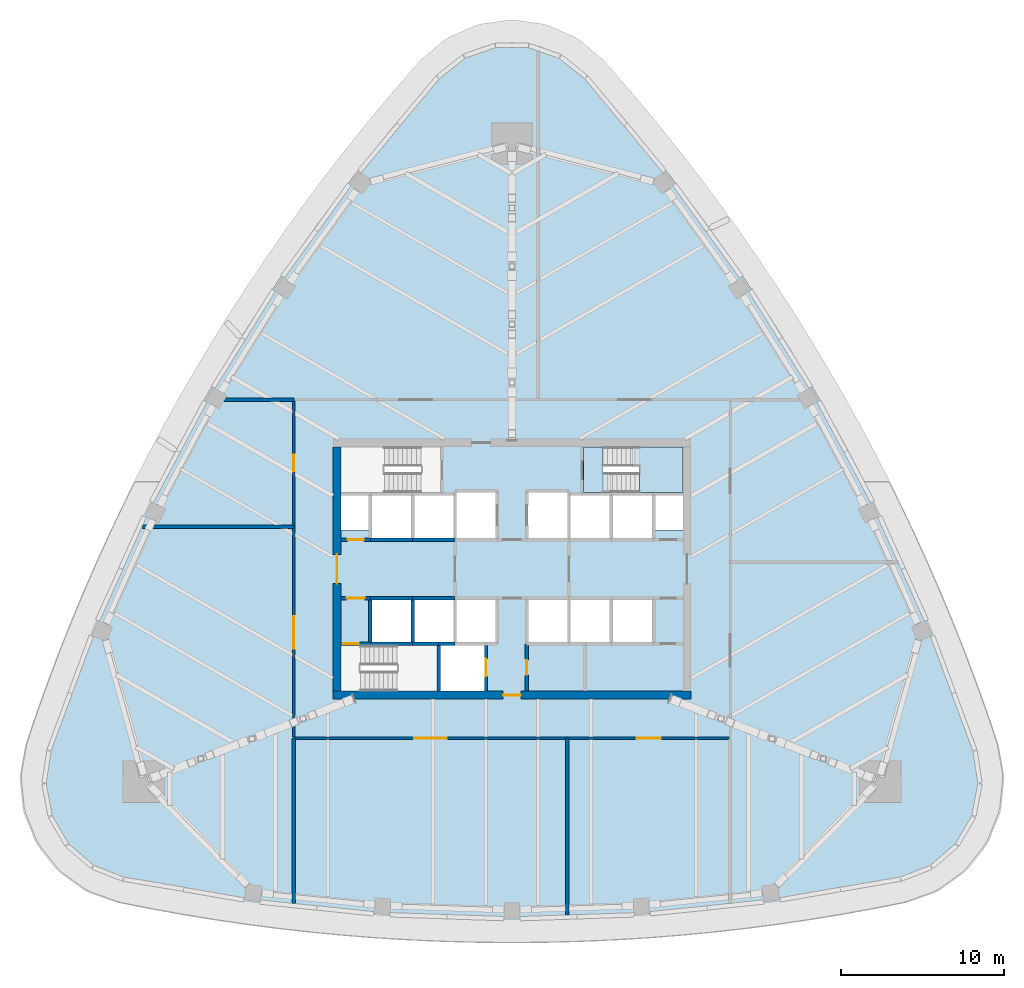
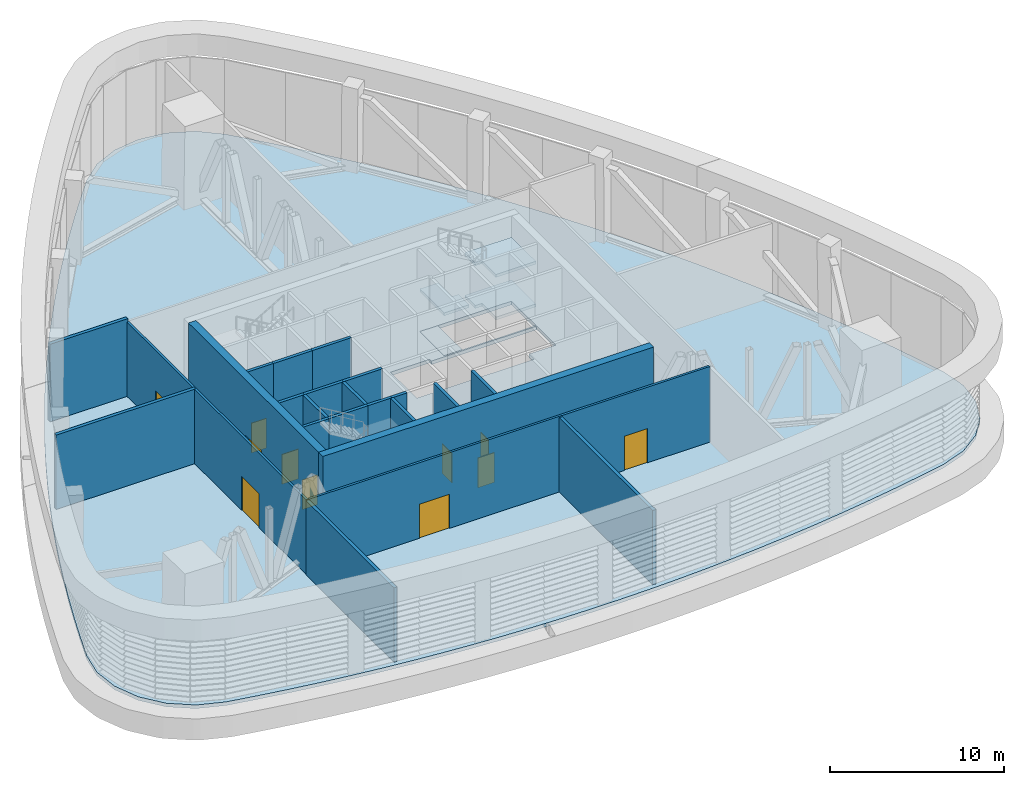
# One storey, part 5 of 18: 23 walls, 11 doors, 5 slabs, 11 openings, 1 element without a shape of its own.
"""IFC4 building model written with IfcOpenShell, lengths in metres."""

from ifc_helpers import new_model, si_unit, direction, frame, frame_2d, origin, place, context, subcontext, project, spatial, polyline, rectangle, outline, extrude, material, layer, layer_set, type_object, element, fill, aggregate, save


model = new_model("IFC4")

# Units and contexts
model_context = context("Model", 3, precision=1e-05, world=origin(), true_north=direction((0.0, 1.0)))
body_context = subcontext(model_context, "Body", "Model", "MODEL_VIEW")
ifc_project = project(units=[si_unit("LENGTHUNIT", "METRE"), si_unit("AREAUNIT", "SQUARE_METRE"), si_unit("VOLUMEUNIT", "CUBIC_METRE"), si_unit("PLANEANGLEUNIT", "RADIAN"), si_unit("MASSUNIT", "GRAM", prefix="KILO")], contexts=[model_context])

# Site, building, storey
site_placement = place(None, origin())
site = spatial("IfcSite", under=ifc_project, at=site_placement, CompositionType="ELEMENT")
building_placement = place(site_placement, origin())
building = spatial("IfcBuilding", under=site, at=building_placement, Name="Sierra Prisma Convention Tower", CompositionType="ELEMENT")
storey_placement = place(building_placement, frame((0.0, 0.0, 213.800048828125)))
storey = spatial("IfcBuildingStorey", under=building, at=storey_placement, Name="L48", CompositionType="ELEMENT", Elevation=213.800048828125)

# Slab
ifc_material_1 = material(Name="Concrete C35/45", Category="concrete")
ifc_layer_1 = layer(ifc_material_1, 0.25)
ifc_layer_set_1 = layer_set([ifc_layer_1], Name="Convention floor slab 250")
slab_type_1 = type_object("IfcSlabType", Name="Convention floor slab 250", PredefinedType="FLOOR", material=ifc_layer_set_1)
slab_1_placement = place(storey_placement, frame((0.0, 0.0, -0.25)))
element("IfcSlab", 1, at=slab_1_placement, inside=storey, type_object=slab_type_1, Name="Floor slab L48 floor", PredefinedType="FLOOR", context=body_context, shape_type="SweptSolid", body=[
    extrude(outline(polyline([(-23.883544921875, -19.135498046875), (-21.996337890625, -19.509765625), (-20.103271484375, -19.853271484375), (-18.204833984375, -20.166015625), (-16.301513671875, -20.447509765625), (-14.39404296875, -20.697998046875), (-12.482666015625, -20.917236328125), (-10.56787109375, -21.10546875), (-8.650146484375, -21.26220703125), (-6.730224609375, -21.3876953125), (-4.80859375, -21.48193359375), (-2.8857421875, -21.544677734375), (-0.9619140625, -21.576171875), (0.9619140625, -21.576171875), (2.8857421875, -21.544677734375), (4.80859375, -21.48193359375), (6.730224609375, -21.3876953125), (8.650146484375, -21.26220703125), (10.56787109375, -21.10546875), (12.482666015625, -20.917236328125), (14.39404296875, -20.697998046875), (16.301513671875, -20.447509765625), (18.204833984375, -20.166015625), (20.103271484375, -19.853271484375), (21.996337890625, -19.509765625), (23.883544921875, -19.135498046875), (25.518310546875, -18.548828125), (26.92626953125, -17.53173828125), (27.996826171875, -16.1640625), (28.64599609375, -14.552978515625), (28.822998046875, -12.8251953125), (28.513671875, -11.115966796875), (27.894287109375, -9.29443359375), (27.2451171875, -7.4833984375), (26.566650390625, -5.682861328125), (25.85888671875, -3.893798828125), (25.1220703125, -2.116455078125), (24.356201171875, -0.3515625), (23.561767578125, 1.400634765625), (22.73876953125, 3.139892578125), (21.887451171875, 4.865234375), (21.00830078125, 6.576416015625), (20.10107421875, 8.273193359375), (19.16650390625, 9.954833984375), (18.204345703125, 11.62109375), (17.21533203125, 13.271484375), (16.199462890625, 14.9052734375), (15.1572265625, 16.5224609375), (14.088623046875, 18.122314453125), (12.993896484375, 19.70458984375), (11.87353515625, 21.268798828125), (10.72802734375, 22.814697265625), (9.557373046875, 24.34130859375), (8.36181640625, 25.848876953125), (7.141845703125, 27.336669921875), (5.89794921875, 28.804443359375), (4.630126953125, 30.25146484375), (3.3046875, 31.3740234375), (1.7197265625, 32.084716796875), (0.0, 32.328125), (-1.7197265625, 32.084716796875), (-3.3046875, 31.3740234375), (-4.630126953125, 30.25146484375), (-5.89794921875, 28.804443359375), (-7.141845703125, 27.336669921875), (-8.36181640625, 25.848876953125), (-9.557373046875, 24.34130859375), (-10.72802734375, 22.814697265625), (-11.87353515625, 21.268798828125), (-12.993896484375, 19.70458984375), (-14.088623046875, 18.122314453125), (-15.1572265625, 16.5224609375), (-16.199462890625, 14.9052734375), (-17.21533203125, 13.271484375), (-18.204345703125, 11.62109375), (-19.16650390625, 9.954833984375), (-20.10107421875, 8.273193359375), (-21.00830078125, 6.576416015625), (-21.887451171875, 4.865234375), (-22.73876953125, 3.139892578125), (-23.561767578125, 1.400634765625), (-24.356201171875, -0.3515625), (-25.1220703125, -2.116455078125), (-25.85888671875, -3.893798828125), (-26.566650390625, -5.682861328125), (-27.2451171875, -7.4833984375), (-27.894287109375, -9.29443359375), (-28.513671875, -11.115966796875), (-28.822998046875, -12.8251953125), (-28.64599609375, -14.552978515625), (-27.996826171875, -16.1640625), (-26.92626953125, -17.53173828125), (-25.518310546875, -18.548828125), (-23.883544921875, -19.135498046875)]), holes=[polyline([(-4.60009765625, -7.5), (-10.5, -7.5), (-10.5, -4.699951171875), (-4.60009765625, -4.699951171875), (-4.60009765625, -7.5)]), polyline([(-8.699951171875, -4.60009765625), (-8.699951171875, -1.800048828125), (-6.10009765625, -1.800048828125), (-3.5, -1.800048828125), (-0.89990234375, -1.800048828125), (-0.89990234375, -4.60009765625), (-1.60009765625, -4.60009765625), (-1.60009765625, -7.5), (-4.5, -7.5), (-4.5, -4.60009765625), (-6.10009765625, -4.60009765625), (-8.699951171875, -4.60009765625)]), polyline([(-10.5, 4.60009765625), (-8.699951171875, 4.60009765625), (-6.10009765625, 4.60009765625), (-3.5, 4.60009765625), (-3.5, 4.800048828125), (-0.89990234375, 4.800048828125), (-0.89990234375, 1.800048828125), (-3.5, 1.800048828125), (-6.10009765625, 1.800048828125), (-8.699951171875, 1.800048828125), (-8.699951171875, 2.39990234375), (-10.5, 2.39990234375), (-10.5, 4.60009765625)]), polyline([(-10.5, 4.699951171875), (-10.5, 7.5), (-4.39990234375, 7.5), (-4.39990234375, 4.699951171875), (-10.5, 4.699951171875)]), polyline([(6.10009765625, -1.800048828125), (8.699951171875, -1.800048828125), (8.699951171875, -4.60009765625), (6.10009765625, -4.60009765625), (3.5, -4.60009765625), (0.89990234375, -4.60009765625), (0.89990234375, -1.800048828125), (3.5, -1.800048828125), (6.10009765625, -1.800048828125)]), polyline([(8.699951171875, 4.60009765625), (10.5, 4.60009765625), (10.5, 2.39990234375), (8.699951171875, 2.39990234375), (8.699951171875, 1.800048828125), (6.10009765625, 1.800048828125), (3.5, 1.800048828125), (0.89990234375, 1.800048828125), (0.89990234375, 4.800048828125), (3.5, 4.800048828125), (3.5, 4.60009765625), (6.10009765625, 4.60009765625), (8.699951171875, 4.60009765625)]), polyline([(4.39990234375, 4.699951171875), (4.39990234375, 7.5), (10.5, 7.5), (10.5, 4.699951171875), (4.39990234375, 4.699951171875)])]), origin(), (0.0, 0.0, 1.0), 0.25),
])

# Stair, slabs
ifc_material_2 = material(Name="Concrete C30/37", Category="concrete")
stair_type = type_object("IfcStairType", Name="Stair dog-leg 1200 RC", PredefinedType="HALF_TURN_STAIR", material=ifc_material_2)
stair_placement = place(storey_placement, origin())
stair = element("IfcStair", 2, at=stair_placement, inside=storey, type_object=stair_type, Name="L48 S4", PredefinedType="HALF_TURN_STAIR")
ifc_material_3 = material(Name="Concrete C35/45", Category="concrete")
ifc_layer_2 = layer(ifc_material_3, 0.199951171875)
ifc_layer_set_2 = layer_set([ifc_layer_2], Name="Stair landing slab")
slab_type_2 = type_object("IfcSlabType", Name="Stair landing slab", PredefinedType="LANDING", material=ifc_layer_set_2)
slab_2_placement = place(storey_placement, frame((0.0, 0.0, 1.300048828125)))
slab_2 = element("IfcSlab", 3, at=slab_2_placement, type_object=slab_type_2, Name="S4 landing 1", PredefinedType="LANDING", context=body_context, shape_type="SweptSolid", body=[
    extrude(outline(polyline([(10.5, 7.5), (10.5, 4.699951171875), (7.837890625, 4.699951171875), (7.837890625, 6.300048828125), (7.389892578125, 6.300048828125), (7.389892578125, 7.5), (10.5, 7.5)])), origin(), (0.0, 0.0, 1.0), 0.199951171875),
])
slab_3_placement = place(storey_placement, frame((0.0, 0.0, 2.800048828125)))
slab_3 = element("IfcSlab", 4, at=slab_3_placement, type_object=slab_type_2, Name="S4 landing 2", PredefinedType="LANDING", context=body_context, shape_type="SweptSolid", body=[
    extrude(outline(polyline([(4.39990234375, 4.699951171875), (4.39990234375, 7.5), (5.60205078125, 7.5), (5.60205078125, 5.89990234375), (6.050048828125, 5.89990234375), (6.050048828125, 4.699951171875), (4.39990234375, 4.699951171875)])), origin(), (0.0, 0.0, 1.0), 0.199951171875),
])
slab_4_placement = place(storey_placement, frame((0.0, 0.0, 4.300048828125)))
slab_4 = element("IfcSlab", 5, at=slab_4_placement, type_object=slab_type_2, Name="S4 landing 3", PredefinedType="LANDING", context=body_context, shape_type="SweptSolid", body=[
    extrude(outline(polyline([(10.5, 7.5), (10.5, 4.699951171875), (7.837890625, 4.699951171875), (7.837890625, 6.300048828125), (7.389892578125, 6.300048828125), (7.389892578125, 7.5), (10.5, 7.5)])), origin(), (0.0, 0.0, 1.0), 0.199951171875),
])
aggregate(stair, [slab_2, slab_3, slab_4])

# Slab
slab_5_placement = place(storey_placement, frame((0.0, 0.0, -0.199951171875)))
element("IfcSlab", 6, at=slab_5_placement, inside=storey, type_object=slab_type_2, Name="S4 floor landing L48", PredefinedType="LANDING", context=body_context, shape_type="SweptSolid", body=[
    extrude(outline(polyline([(4.39990234375, 4.699951171875), (5.60205078125, 4.699951171875), (5.60205078125, 7.5), (4.39990234375, 7.5), (4.39990234375, 4.699951171875)])), origin(), (0.0, 0.0, 1.0), 0.199951171875),
])

# Wall, opening, door
ifc_material_4 = material(Name="Concrete C30/37", Category="concrete")
ifc_layer_3 = layer(ifc_material_4, 0.199951171875)
ifc_layer_set_3 = layer_set([ifc_layer_3], Name="Core wall RC 200 C30/37")
wall_type_1 = type_object("IfcWallType", Name="Core wall RC 200 C30/37", PredefinedType="SOLIDWALL", material=ifc_layer_set_3)
wall_1_placement = place(storey_placement, frame((-10.5, -4.60009765625, 0.0), z_axis=(0.0, 0.0, 1.0), x_axis=(1.0, 0.0, 0.0)))
wall_1 = element("IfcWall", 7, at=wall_1_placement, inside=storey, type_object=wall_type_1, Name="Core wall L48 1", PredefinedType="SOLIDWALL", context=body_context, shape_type="SweptSolid", body=[
    extrude(rectangle(XDim=1.800048828125, YDim=0.199951171875, at=frame_2d((0.89990234375, 0.0))), origin(), (0.0, 0.0, 1.0), 5.849853515625),
])
opening_1_placement = place(wall_1_placement, frame((0.10009765625, 0.0, 0.0)))
opening_1 = element("IfcOpeningElement", 8, at=opening_1_placement, cuts=wall_1, Name="Opening L48-D011", PredefinedType="OPENING", context=body_context, shape_type="SweptSolid", body=[
    extrude(rectangle(XDim=1.0, YDim=2.10009765625, at=frame_2d((0.5, 1.050048828125))), frame((0.0, 0.10009765625, 0.0), z_axis=(0.0, -1.0, 0.0), x_axis=(1.0, 0.0, 0.0)), (0.0, 0.0, 1.0), 0.199951171875),
])
ifc_material_5 = material(Name="Steel fire door leaf", Category="steel")
door_type_1 = type_object("IfcDoorType", Name="Door 1000x2100 FD90S", OperationType="SINGLE_SWING_LEFT", PredefinedType="DOOR", material=ifc_material_5)
door_1_placement = place(opening_1_placement, origin())
door_1 = element("IfcDoor", 9, at=door_1_placement, inside=storey, type_object=door_type_1, Name="Door L48 19", OperationType="SINGLE_SWING_LEFT", OverallHeight=2.10009765625, OverallWidth=1.0, PredefinedType="DOOR", context=body_context, shape_type="SweptSolid", body=[
    extrude(rectangle(XDim=1.0, YDim=2.10009765625, at=frame_2d((0.5, 1.050048828125))), frame((0.0, 0.02490234375, 0.0), z_axis=(0.0, -1.0, 0.0), x_axis=(1.0, 0.0, 0.0)), (0.0, 0.0, 1.0), 0.050048828125),
])
fill(opening_1, door_1)

wall_2_placement = place(storey_placement, frame((-10.5, -1.800048828125, 0.0), z_axis=(0.0, 0.0, 1.0), x_axis=(1.0, 0.0, 0.0)))
wall_2 = element("IfcWall", 10, at=wall_2_placement, inside=storey, type_object=wall_type_1, Name="Core wall L48 2", PredefinedType="SOLIDWALL", context=body_context, shape_type="SweptSolid", body=[
    extrude(rectangle(XDim=1.800048828125, YDim=0.199951171875, at=frame_2d((0.89990234375, 0.0))), origin(), (0.0, 0.0, 1.0), 5.849853515625),
])
opening_2_placement = place(wall_2_placement, frame((0.35009765625, 0.0, 0.0)))
opening_2 = element("IfcOpeningElement", 11, at=opening_2_placement, cuts=wall_2, Name="Opening L48-D006", PredefinedType="OPENING", context=body_context, shape_type="SweptSolid", body=[
    extrude(rectangle(XDim=1.10009765625, YDim=2.10009765625, at=frame_2d((0.550048828125, 1.050048828125))), frame((0.0, 0.10009765625, 0.0), z_axis=(0.0, -1.0, 0.0), x_axis=(1.0, 0.0, 0.0)), (0.0, 0.0, 1.0), 0.199951171875),
])
ifc_material_6 = material(Name="Steel fire door leaf", Category="steel")
door_type_2 = type_object("IfcDoorType", Name="Door 1100x2100 FD90S", OperationType="SINGLE_SWING_LEFT", PredefinedType="DOOR", material=ifc_material_6)
door_2_placement = place(opening_2_placement, origin())
door_2 = element("IfcDoor", 12, at=door_2_placement, inside=storey, type_object=door_type_2, Name="Door L48 14", OperationType="SINGLE_SWING_RIGHT", OverallHeight=2.10009765625, OverallWidth=1.10009765625, PredefinedType="DOOR", context=body_context, shape_type="SweptSolid", body=[
    extrude(rectangle(XDim=1.10009765625, YDim=2.10009765625, at=frame_2d((0.550048828125, 1.050048828125))), frame((0.0, 0.02490234375, 0.0), z_axis=(0.0, -1.0, 0.0), x_axis=(1.0, 0.0, 0.0)), (0.0, 0.0, 1.0), 0.050048828125),
])
fill(opening_2, door_2)

wall_3_placement = place(storey_placement, frame((-8.699951171875, 1.800048828125, 0.0), z_axis=(0.0, 0.0, 1.0), x_axis=(-1.0, 0.0, 0.0)))
wall_3 = element("IfcWall", 13, at=wall_3_placement, inside=storey, type_object=wall_type_1, Name="Core wall L48 3", PredefinedType="SOLIDWALL", context=body_context, shape_type="SweptSolid", body=[
    extrude(rectangle(XDim=1.800048828125, YDim=0.199951171875, at=frame_2d((0.89990234375, 0.0))), origin(), (0.0, 0.0, 1.0), 5.849853515625),
])
opening_3_placement = place(wall_3_placement, frame((0.39990234375, 0.0, 0.0)))
opening_3 = element("IfcOpeningElement", 14, at=opening_3_placement, cuts=wall_3, Name="Opening L48-D009", PredefinedType="OPENING", context=body_context, shape_type="SweptSolid", body=[
    extrude(rectangle(XDim=1.0, YDim=2.10009765625, at=frame_2d((0.5, 1.050048828125))), frame((0.0, 0.10009765625, 0.0), z_axis=(0.0, -1.0, 0.0), x_axis=(1.0, 0.0, 0.0)), (0.0, 0.0, 1.0), 0.199951171875),
])
ifc_material_7 = material(Name="Steel fire door leaf", Category="steel")
door_type_3 = type_object("IfcDoorType", Name="Door 1000x2100 FD60S", OperationType="SINGLE_SWING_LEFT", PredefinedType="DOOR", material=ifc_material_7)
door_3_placement = place(opening_3_placement, origin())
door_3 = element("IfcDoor", 15, at=door_3_placement, inside=storey, type_object=door_type_3, Name="Door L48 17", OperationType="SINGLE_SWING_RIGHT", OverallHeight=2.10009765625, OverallWidth=1.0, PredefinedType="DOOR", context=body_context, shape_type="SweptSolid", body=[
    extrude(rectangle(XDim=1.0, YDim=2.10009765625, at=frame_2d((0.5, 1.050048828125))), frame((0.0, 0.02490234375, 0.0), z_axis=(0.0, -1.0, 0.0), x_axis=(1.0, 0.0, 0.0)), (0.0, 0.0, 1.0), 0.050048828125),
])
fill(opening_3, door_3)

# Walls
wall_4_placement = place(storey_placement, frame((-8.699951171875, -4.60009765625, 0.0), z_axis=(0.0, 0.0, 1.0), x_axis=(1.0, 0.0, 0.0)))
element("IfcWall", 16, at=wall_4_placement, inside=storey, type_object=wall_type_1, Name="Core wall L48 5", PredefinedType="SOLIDWALL", context=body_context, shape_type="SweptSolid", body=[
    extrude(rectangle(XDim=2.599853515625, YDim=0.199951171875, at=frame_2d((1.2998046875, 0.0))), origin(), (0.0, 0.0, 1.0), 5.849853515625),
])
wall_5_placement = place(storey_placement, frame((-8.699951171875, -4.60009765625, 0.0), z_axis=(0.0, 0.0, 1.0), x_axis=(0.0, 1.0, 0.0)))
element("IfcWall", 17, at=wall_5_placement, inside=storey, type_object=wall_type_1, Name="Core wall L48 6", PredefinedType="SOLIDWALL", context=body_context, shape_type="SweptSolid", body=[
    extrude(rectangle(XDim=2.800048828125, YDim=0.199951171875, at=frame_2d((1.39990234375, 0.0))), origin(), (0.0, 0.0, 1.0), 5.849853515625),
])
for number, where, z_axis, x_axis, name in (
    (18, (-8.699951171875, -1.800048828125, 0.0), (0.0, 0.0, 1.0), (1.0, 0.0, 0.0), "Core wall L48 7"),
    (19, (-6.10009765625, 1.800048828125, 0.0), (0.0, 0.0, 1.0), (-1.0, 0.0, 0.0), "Core wall L48 8"),
):
    element("IfcWall", number, at=place(storey_placement, frame(where, z_axis=z_axis, x_axis=x_axis)), inside=storey, type_object=wall_type_1, Name=name, PredefinedType="SOLIDWALL", context=body_context, shape_type="SweptSolid", body=[
        extrude(rectangle(XDim=2.599853515625, YDim=0.199951171875, at=frame_2d((1.2998046875, 0.0))), origin(), (0.0, 0.0, 1.0), 5.849853515625),
    ])
wall_6_placement = place(storey_placement, frame((-6.10009765625, -4.60009765625, 0.0), z_axis=(0.0, 0.0, 1.0), x_axis=(1.0, 0.0, 0.0)))
element("IfcWall", 20, at=wall_6_placement, inside=storey, type_object=wall_type_1, Name="Core wall L48 11", PredefinedType="SOLIDWALL", context=body_context, shape_type="SweptSolid", body=[
    extrude(rectangle(XDim=1.60009765625, YDim=0.199951171875, at=frame_2d((0.800048828125, 0.0))), origin(), (0.0, 0.0, 1.0), 5.849853515625),
])
wall_7_placement = place(storey_placement, frame((-6.10009765625, -4.60009765625, 0.0), z_axis=(0.0, 0.0, 1.0), x_axis=(0.0, 1.0, 0.0)))
element("IfcWall", 21, at=wall_7_placement, inside=storey, type_object=wall_type_1, Name="Core wall L48 12", PredefinedType="SOLIDWALL", context=body_context, shape_type="SweptSolid", body=[
    extrude(rectangle(XDim=2.800048828125, YDim=0.199951171875, at=frame_2d((1.39990234375, 0.0))), origin(), (0.0, 0.0, 1.0), 5.849853515625),
])
for number, where, z_axis, x_axis, name in (
    (22, (-6.10009765625, -1.800048828125, 0.0), (0.0, 0.0, 1.0), (1.0, 0.0, 0.0), "Core wall L48 13"),
    (23, (-3.5, 1.800048828125, 0.0), (0.0, 0.0, 1.0), (-1.0, 0.0, 0.0), "Core wall L48 14"),
):
    element("IfcWall", number, at=place(storey_placement, frame(where, z_axis=z_axis, x_axis=x_axis)), inside=storey, type_object=wall_type_1, Name=name, PredefinedType="SOLIDWALL", context=body_context, shape_type="SweptSolid", body=[
        extrude(rectangle(XDim=2.60009765625, YDim=0.199951171875, at=frame_2d((1.300048828125, 0.0))), origin(), (0.0, 0.0, 1.0), 5.849853515625),
    ])
wall_8_placement = place(storey_placement, frame((-4.5, -4.60009765625, 0.0), z_axis=(0.0, 0.0, 1.0), x_axis=(0.0, -1.0, 0.0)))
element("IfcWall", 24, at=wall_8_placement, inside=storey, type_object=wall_type_1, Name="Core wall L48 17", PredefinedType="SOLIDWALL", context=body_context, shape_type="SweptSolid", body=[
    extrude(rectangle(XDim=2.89990234375, YDim=0.199951171875, at=frame_2d((1.449951171875, 0.0))), origin(), (0.0, 0.0, 1.0), 5.849853515625),
])
wall_9_placement = place(storey_placement, frame((-4.5, -4.60009765625, 0.0), z_axis=(0.0, 0.0, 1.0), x_axis=(1.0, 0.0, 0.0)))
element("IfcWall", 25, at=wall_9_placement, inside=storey, type_object=wall_type_1, Name="Core wall L48 18", PredefinedType="SOLIDWALL", context=body_context, shape_type="SweptSolid", body=[
    extrude(rectangle(XDim=1.0, YDim=0.199951171875, at=frame_2d((0.5, 0.0))), origin(), (0.0, 0.0, 1.0), 5.849853515625),
])

# Wall, opening, door
wall_10_placement = place(storey_placement, frame((-1.60009765625, -7.5, 0.0), z_axis=(0.0, 0.0, 1.0), x_axis=(0.0, 1.0, 0.0)))
wall_10 = element("IfcWall", 26, at=wall_10_placement, inside=storey, type_object=wall_type_1, Name="Core wall L48 30", PredefinedType="SOLIDWALL", context=body_context, shape_type="SweptSolid", body=[
    extrude(rectangle(XDim=2.89990234375, YDim=0.199951171875, at=frame_2d((1.449951171875, 0.0))), origin(), (0.0, 0.0, 1.0), 5.849853515625),
])
opening_4_placement = place(wall_10_placement, frame((0.89990234375, 0.0, 0.0)))
opening_4 = element("IfcOpeningElement", 27, at=opening_4_placement, cuts=wall_10, Name="Opening L48-D003", PredefinedType="OPENING", context=body_context, shape_type="SweptSolid", body=[
    extrude(rectangle(XDim=1.10009765625, YDim=2.10009765625, at=frame_2d((0.550048828125, 1.050048828125))), frame((0.0, 0.10009765625, 0.0), z_axis=(0.0, -1.0, 0.0), x_axis=(1.0, 0.0, 0.0)), (0.0, 0.0, 1.0), 0.199951171875),
])
ifc_material_8 = material(Name="Steel fire door leaf", Category="steel")
door_type_4 = type_object("IfcDoorType", Name="Door 1100x2100 EI 90 sliding lift landing", OperationType="SLIDING_TO_LEFT", PredefinedType="DOOR", material=ifc_material_8)
door_4_placement = place(opening_4_placement, origin())
door_4 = element("IfcDoor", 28, at=door_4_placement, inside=storey, type_object=door_type_4, Name="Door L48 11", OperationType="SLIDING_TO_RIGHT", OverallHeight=2.10009765625, OverallWidth=1.10009765625, PredefinedType="DOOR", context=body_context, shape_type="SweptSolid", body=[
    extrude(rectangle(XDim=1.10009765625, YDim=2.10009765625, at=frame_2d((0.550048828125, 1.050048828125))), frame((0.0, 0.02490234375, 0.0), z_axis=(0.0, -1.0, 0.0), x_axis=(1.0, 0.0, 0.0)), (0.0, 0.0, 1.0), 0.050048828125),
])
fill(opening_4, door_4)

wall_11_placement = place(storey_placement, frame((0.89990234375, -4.60009765625, 0.0), z_axis=(0.0, 0.0, 1.0), x_axis=(0.0, -1.0, 0.0)))
wall_11 = element("IfcWall", 29, at=wall_11_placement, inside=storey, type_object=wall_type_1, Name="Core wall L48 35", PredefinedType="SOLIDWALL", context=body_context, shape_type="SweptSolid", body=[
    extrude(rectangle(XDim=2.89990234375, YDim=0.199951171875, at=frame_2d((1.449951171875, 0.0))), origin(), (0.0, 0.0, 1.0), 5.849853515625),
])
opening_5_placement = place(wall_11_placement, frame((1.0, 0.0, 0.0)))
opening_5 = element("IfcOpeningElement", 30, at=opening_5_placement, cuts=wall_11, Name="Opening L48-D016", PredefinedType="OPENING", context=body_context, shape_type="SweptSolid", body=[
    extrude(rectangle(XDim=0.89990234375, YDim=2.10009765625, at=frame_2d((0.449951171875, 1.050048828125))), frame((0.0, 0.10009765625, 0.0), z_axis=(0.0, -1.0, 0.0), x_axis=(1.0, 0.0, 0.0)), (0.0, 0.0, 1.0), 0.199951171875),
])
ifc_material_9 = material(Name="Steel fire door leaf", Category="steel")
door_type_5 = type_object("IfcDoorType", Name="Door 900x2100 FD30S", OperationType="SINGLE_SWING_LEFT", PredefinedType="DOOR", material=ifc_material_9)
door_5_placement = place(opening_5_placement, origin())
door_5 = element("IfcDoor", 31, at=door_5_placement, inside=storey, type_object=door_type_5, Name="Door L48 24", OperationType="SINGLE_SWING_RIGHT", OverallHeight=2.10009765625, OverallWidth=0.89990234375, PredefinedType="DOOR", context=body_context, shape_type="SweptSolid", body=[
    extrude(rectangle(XDim=0.89990234375, YDim=2.10009765625, at=frame_2d((0.449951171875, 1.050048828125))), frame((0.0, 0.02490234375, 0.0), z_axis=(0.0, -1.0, 0.0), x_axis=(1.0, 0.0, 0.0)), (0.0, 0.0, 1.0), 0.050048828125),
])
fill(opening_5, door_5)

ifc_material_10 = material(Name="Concrete C60/75", Category="concrete")
ifc_layer_4 = layer(ifc_material_10, 0.5)
ifc_layer_set_4 = layer_set([ifc_layer_4], Name="Core wall RC 500 C60/75")
wall_type_2 = type_object("IfcWallType", Name="Core wall RC 500 C60/75", PredefinedType="SHEAR", material=ifc_layer_set_4)
wall_12_placement = place(storey_placement, frame((-11.0, -7.75, 0.0), z_axis=(0.0, 0.0, 1.0), x_axis=(1.0, 0.0, 0.0)))
wall_12 = element("IfcWall", 32, at=wall_12_placement, inside=storey, type_object=wall_type_2, Name="Core wall S L48", PredefinedType="SHEAR", context=body_context, shape_type="SweptSolid", body=[
    extrude(rectangle(XDim=22.0, YDim=0.5, at=frame_2d((11.0, 0.0))), origin(), (0.0, 0.0, 1.0), 6.0),
])
opening_6_placement = place(wall_12_placement, frame((10.449951171875, 0.0, 0.0)))
opening_6 = element("IfcOpeningElement", 33, at=opening_6_placement, cuts=wall_12, Name="Opening L48-D027", PredefinedType="OPENING", context=body_context, shape_type="SweptSolid", body=[
    extrude(rectangle(XDim=1.10009765625, YDim=2.10009765625, at=frame_2d((0.550048828125, 1.050048828125))), frame((0.0, 0.25, 0.0), z_axis=(0.0, -1.0, 0.0), x_axis=(1.0, 0.0, 0.0)), (0.0, 0.0, 1.0), 0.5),
])
ifc_material_11 = material(Name="Steel fire door leaf", Category="steel")
door_type_6 = type_object("IfcDoorType", Name="Door 1100x2100 FD30S", OperationType="SINGLE_SWING_LEFT", PredefinedType="DOOR", material=ifc_material_11)
door_6_placement = place(opening_6_placement, origin())
door_6 = element("IfcDoor", 34, at=door_6_placement, inside=storey, type_object=door_type_6, Name="Door L48 28", OperationType="SINGLE_SWING_LEFT", OverallHeight=2.10009765625, OverallWidth=1.10009765625, PredefinedType="DOOR", context=body_context, shape_type="SweptSolid", body=[
    extrude(rectangle(XDim=1.10009765625, YDim=2.10009765625, at=frame_2d((0.550048828125, 1.050048828125))), frame((0.0, 0.02490234375, 0.0), z_axis=(0.0, -1.0, 0.0), x_axis=(1.0, 0.0, 0.0)), (0.0, 0.0, 1.0), 0.050048828125),
])
fill(opening_6, door_6)

wall_13_placement = place(storey_placement, frame((-10.75, -7.5, 0.0), z_axis=(0.0, 0.0, 1.0), x_axis=(0.0, 1.0, 0.0)))
wall_13 = element("IfcWall", 35, at=wall_13_placement, inside=storey, type_object=wall_type_2, Name="Core wall W L48", PredefinedType="SHEAR", context=body_context, shape_type="SweptSolid", body=[
    extrude(rectangle(XDim=15.0, YDim=0.5, at=frame_2d((7.5, 0.0))), origin(), (0.0, 0.0, 1.0), 6.0),
])
opening_7_placement = place(wall_13_placement, frame((6.60009765625, 0.0, 0.0)))
opening_7 = element("IfcOpeningElement", 36, at=opening_7_placement, cuts=wall_13, Name="Opening L48-D028", PredefinedType="OPENING", context=body_context, shape_type="SweptSolid", body=[
    extrude(rectangle(XDim=1.800048828125, YDim=2.10009765625, at=frame_2d((0.89990234375, 1.050048828125))), frame((0.0, 0.25, 0.0), z_axis=(0.0, -1.0, 0.0), x_axis=(1.0, 0.0, 0.0)), (0.0, 0.0, 1.0), 0.5),
])
ifc_material_12 = material(Name="Steel fire door leaf", Category="steel")
door_type_7 = type_object("IfcDoorType", Name="Door 1800x2100 FD60S", OperationType="DOUBLE_DOOR_SINGLE_SWING", PredefinedType="DOOR", material=ifc_material_12)
door_7_placement = place(opening_7_placement, origin())
door_7 = element("IfcDoor", 37, at=door_7_placement, inside=storey, type_object=door_type_7, Name="Door L48 25", OperationType="DOUBLE_DOOR_SINGLE_SWING", OverallHeight=2.10009765625, OverallWidth=1.800048828125, PredefinedType="DOOR", context=body_context, shape_type="SweptSolid", body=[
    extrude(rectangle(XDim=1.800048828125, YDim=2.10009765625, at=frame_2d((0.89990234375, 1.050048828125))), frame((0.0, 0.02490234375, 0.0), z_axis=(0.0, -1.0, 0.0), x_axis=(1.0, 0.0, 0.0)), (0.0, 0.0, 1.0), 0.050048828125),
])
fill(opening_7, door_7)

# Wall, openings, doors
ifc_material_13 = material(Name="Gypsum board partition", Category="gypsum")
ifc_layer_5 = layer(ifc_material_13, 0.14990234375)
ifc_layer_set_5 = layer_set([ifc_layer_5], Name="Corridor wall 150 gypsum EI 60")
wall_type_3 = type_object("IfcWallType", Name="Corridor wall 150 gypsum EI 60", PredefinedType="PARTITIONING", material=ifc_layer_set_5)
wall_14_placement = place(storey_placement, frame((-13.39990234375, 10.320068359375, 0.0), z_axis=(0.0, 0.0, 1.0), x_axis=(0.0, -1.0, 0.0)))
wall_14 = element("IfcWall", 38, at=wall_14_placement, inside=storey, type_object=wall_type_3, Name="Partition L48 corr 1", PredefinedType="PARTITIONING", context=body_context, shape_type="SweptSolid", body=[
    extrude(rectangle(XDim=20.64013671875, YDim=0.14990234375, at=frame_2d((10.320068359375, 0.0))), origin(), (0.0, 0.0, 1.0), 5.23291015625),
])
opening_8_placement = place(wall_14_placement, frame((3.320068359375, 0.0, 0.0)))
opening_8 = element("IfcOpeningElement", 39, at=opening_8_placement, cuts=wall_14, Name="Opening L48-D020", PredefinedType="OPENING", context=body_context, shape_type="SweptSolid", body=[
    extrude(rectangle(XDim=1.0, YDim=2.39990234375, at=frame_2d((0.5, 1.199951171875))), frame((0.0, 0.074951171875, 0.0), z_axis=(0.0, -1.0, 0.0), x_axis=(1.0, 0.0, 0.0)), (0.0, 0.0, 1.0), 0.14990234375),
])
opening_9_placement = place(wall_14_placement, frame((13.22998046875, 0.0, 0.0)))
opening_9 = element("IfcOpeningElement", 40, at=opening_9_placement, cuts=wall_14, Name="Opening L48-D021", PredefinedType="OPENING", context=body_context, shape_type="SweptSolid", body=[
    extrude(rectangle(XDim=2.0, YDim=2.39990234375, at=frame_2d((1.0, 1.199951171875))), frame((0.0, 0.074951171875, 0.0), z_axis=(0.0, -1.0, 0.0), x_axis=(1.0, 0.0, 0.0)), (0.0, 0.0, 1.0), 0.14990234375),
])
ifc_material_14 = material(Name="Steel fire door leaf", Category="steel")
door_type_8 = type_object("IfcDoorType", Name="Door 1000x2400 FD60S", OperationType="SINGLE_SWING_LEFT", PredefinedType="DOOR", material=ifc_material_14)
door_8_placement = place(opening_8_placement, origin())
door_8 = element("IfcDoor", 41, at=door_8_placement, inside=storey, type_object=door_type_8, Name="Door L48 4", OperationType="SINGLE_SWING_LEFT", OverallHeight=2.39990234375, OverallWidth=1.0, PredefinedType="DOOR", context=body_context, shape_type="SweptSolid", body=[
    extrude(rectangle(XDim=1.0, YDim=2.39990234375, at=frame_2d((0.5, 1.199951171875))), frame((0.0, 0.02490234375, 0.0), z_axis=(0.0, -1.0, 0.0), x_axis=(1.0, 0.0, 0.0)), (0.0, 0.0, 1.0), 0.050048828125),
])
fill(opening_8, door_8)
ifc_material_15 = material(Name="Steel fire door leaf", Category="steel")
door_type_9 = type_object("IfcDoorType", Name="Door 2000x2400 FD60S", OperationType="DOUBLE_DOOR_SINGLE_SWING", PredefinedType="DOOR", material=ifc_material_15)
door_9_placement = place(opening_9_placement, origin())
door_9 = element("IfcDoor", 42, at=door_9_placement, inside=storey, type_object=door_type_9, Name="Door L48 5", OperationType="DOUBLE_DOOR_SINGLE_SWING", OverallHeight=2.39990234375, OverallWidth=2.0, PredefinedType="DOOR", context=body_context, shape_type="SweptSolid", body=[
    extrude(rectangle(XDim=2.0, YDim=2.39990234375, at=frame_2d((1.0, 1.199951171875))), frame((0.0, 0.02490234375, 0.0), z_axis=(0.0, -1.0, 0.0), x_axis=(1.0, 0.0, 0.0)), (0.0, 0.0, 1.0), 0.050048828125),
])
fill(opening_9, door_9)

wall_15_placement = place(storey_placement, frame((-13.320068359375, -10.39990234375, 0.0), z_axis=(0.0, 0.0, 1.0), x_axis=(1.0, 0.0, 0.0)))
wall_15 = element("IfcWall", 43, at=wall_15_placement, inside=storey, type_object=wall_type_3, Name="Partition L48 corr 2", PredefinedType="PARTITIONING", context=body_context, shape_type="SweptSolid", body=[
    extrude(rectangle(XDim=26.64013671875, YDim=0.14990234375, at=frame_2d((13.320068359375, 0.0))), origin(), (0.0, 0.0, 1.0), 5.31689453125),
])
opening_10_placement = place(wall_15_placement, frame((7.320068359375, 0.0, 0.0)))
opening_10 = element("IfcOpeningElement", 44, at=opening_10_placement, cuts=wall_15, Name="Opening L48-D022", PredefinedType="OPENING", context=body_context, shape_type="SweptSolid", body=[
    extrude(rectangle(XDim=2.0, YDim=2.39990234375, at=frame_2d((1.0, 1.199951171875))), frame((0.0, 0.074951171875, 0.0), z_axis=(0.0, -1.0, 0.0), x_axis=(1.0, 0.0, 0.0)), (0.0, 0.0, 1.0), 0.14990234375),
])
opening_11_placement = place(wall_15_placement, frame((20.969970703125, 0.0, 0.0)))
opening_11 = element("IfcOpeningElement", 45, at=opening_11_placement, cuts=wall_15, Name="Opening L48-D023", PredefinedType="OPENING", context=body_context, shape_type="SweptSolid", body=[
    extrude(rectangle(XDim=1.5, YDim=2.39990234375, at=frame_2d((0.75, 1.199951171875))), frame((0.0, 0.074951171875, 0.0), z_axis=(0.0, -1.0, 0.0), x_axis=(1.0, 0.0, 0.0)), (0.0, 0.0, 1.0), 0.14990234375),
])
ifc_material_16 = material(Name="Steel fire door leaf", Category="steel")
door_type_10 = type_object("IfcDoorType", Name="Door 1500x2400 FD60S", OperationType="DOUBLE_DOOR_SINGLE_SWING", PredefinedType="DOOR", material=ifc_material_16)
door_10_placement = place(opening_11_placement, origin())
door_10 = element("IfcDoor", 46, at=door_10_placement, inside=storey, type_object=door_type_10, Name="Door L48 7", OperationType="DOUBLE_DOOR_SINGLE_SWING", OverallHeight=2.39990234375, OverallWidth=1.5, PredefinedType="DOOR", context=body_context, shape_type="SweptSolid", body=[
    extrude(rectangle(XDim=1.5, YDim=2.39990234375, at=frame_2d((0.75, 1.199951171875))), frame((0.0, 0.02490234375, 0.0), z_axis=(0.0, -1.0, 0.0), x_axis=(1.0, 0.0, 0.0)), (0.0, 0.0, 1.0), 0.050048828125),
])
fill(opening_11, door_10)
door_11_placement = place(opening_10_placement, origin())
door_11 = element("IfcDoor", 47, at=door_11_placement, inside=storey, type_object=door_type_9, Name="Door L48 6", OperationType="DOUBLE_DOOR_SINGLE_SWING", OverallHeight=2.39990234375, OverallWidth=2.0, PredefinedType="DOOR", context=body_context, shape_type="SweptSolid", body=[
    extrude(rectangle(XDim=2.0, YDim=2.39990234375, at=frame_2d((1.0, 1.199951171875))), frame((0.0, 0.02490234375, 0.0), z_axis=(0.0, -1.0, 0.0), x_axis=(1.0, 0.0, 0.0)), (0.0, 0.0, 1.0), 0.050048828125),
])
fill(opening_10, door_11)

# Walls
ifc_material_17 = material(Name="Hollow clay block masonry", Category="masonry")
ifc_layer_6 = layer(ifc_material_17, 0.215087890625)
ifc_layer_set_6 = layer_set([ifc_layer_6], Name="Plant room wall 215 blockwork EI 120")
wall_type_4 = type_object("IfcWallType", Name="Plant room wall 215 blockwork EI 120", PredefinedType="PARTITIONING", material=ifc_layer_set_6)
wall_16_placement = place(storey_placement, frame((-13.39990234375, 2.60009765625, 0.0), z_axis=(0.0, 0.0, 1.0), x_axis=(-1.0, 0.0, 0.0)))
element("IfcWall", 48, at=wall_16_placement, inside=storey, type_object=wall_type_4, Name="Partition L48 plant 1", PredefinedType="PARTITIONING", context=body_context, shape_type="SweptSolid", body=[
    extrude(rectangle(XDim=9.284423828125, YDim=0.215087890625, at=frame_2d((4.64208984375, 0.0))), origin(), (0.0, 0.0, 1.0), 5.23388671875),
])
wall_17_placement = place(storey_placement, frame((-13.39990234375, 10.39990234375, 0.0), z_axis=(0.0, 0.0, 1.0), x_axis=(-1.0, 0.0, 0.0)))
element("IfcWall", 49, at=wall_17_placement, inside=storey, type_object=wall_type_4, Name="Partition L48 plant 2", PredefinedType="PARTITIONING", context=body_context, shape_type="SweptSolid", body=[
    extrude(rectangle(XDim=5.186279296875, YDim=0.215087890625, at=frame_2d((2.59326171875, 0.0))), origin(), (0.0, 0.0, 1.0), 5.449951171875),
])
wall_18_placement = place(storey_placement, frame((-13.39990234375, -10.39990234375, 0.0), z_axis=(0.0, 0.0, 1.0), x_axis=(0.0, -1.0, 0.0)))
element("IfcWall", 50, at=wall_18_placement, inside=storey, type_object=wall_type_4, Name="Partition L48 plant 3", PredefinedType="PARTITIONING", context=body_context, shape_type="SweptSolid", body=[
    extrude(rectangle(XDim=10.13037109375, YDim=0.215087890625, at=frame_2d((5.065185546875, 0.0))), origin(), (0.0, 0.0, 1.0), 5.23388671875),
])
wall_19_placement = place(storey_placement, frame((3.39990234375, -10.39990234375, 0.0), z_axis=(0.0, 0.0, 1.0), x_axis=(0.0, -1.0, 0.0)))
element("IfcWall", 51, at=wall_19_placement, inside=storey, type_object=wall_type_4, Name="Partition L48 plant 5", PredefinedType="PARTITIONING", context=body_context, shape_type="SweptSolid", body=[
    extrude(rectangle(XDim=10.847900390625, YDim=0.215087890625, at=frame_2d((5.423828125, 0.0))), origin(), (0.0, 0.0, 1.0), 5.23388671875),
])

save(model, "model.ifc")
